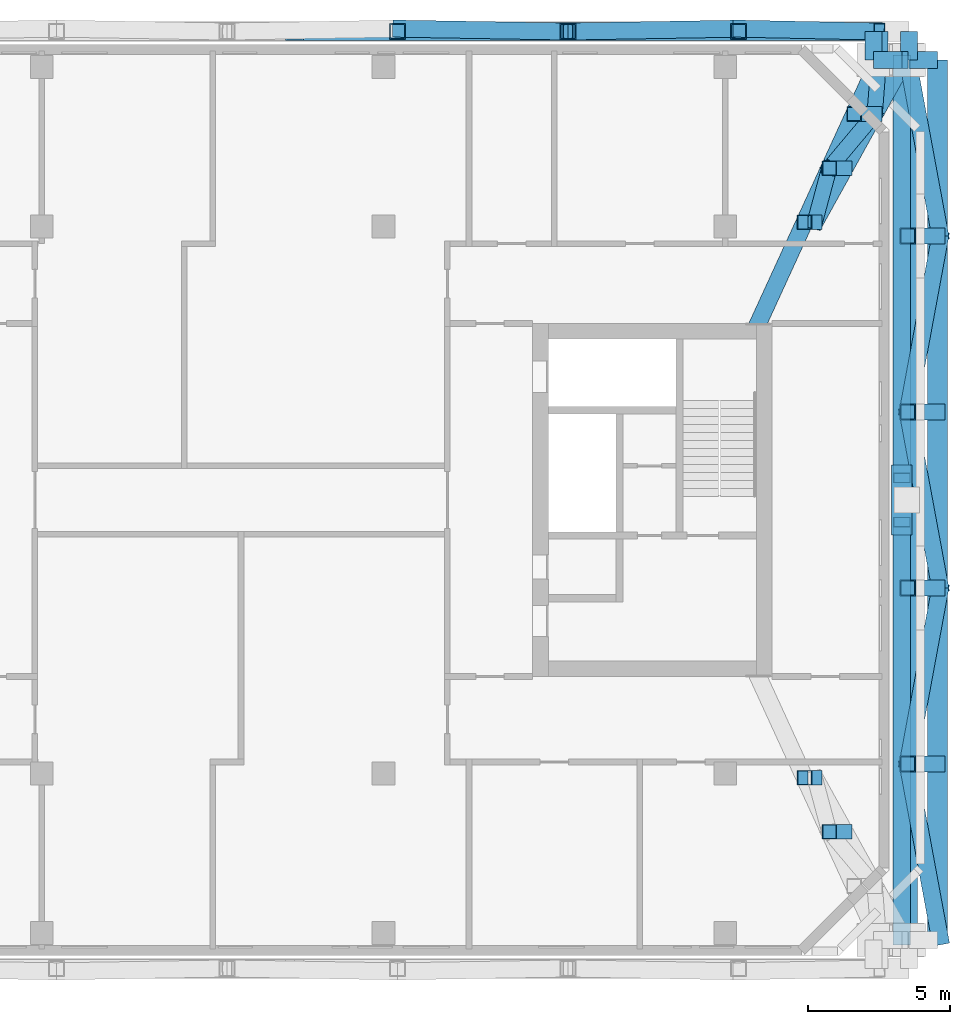
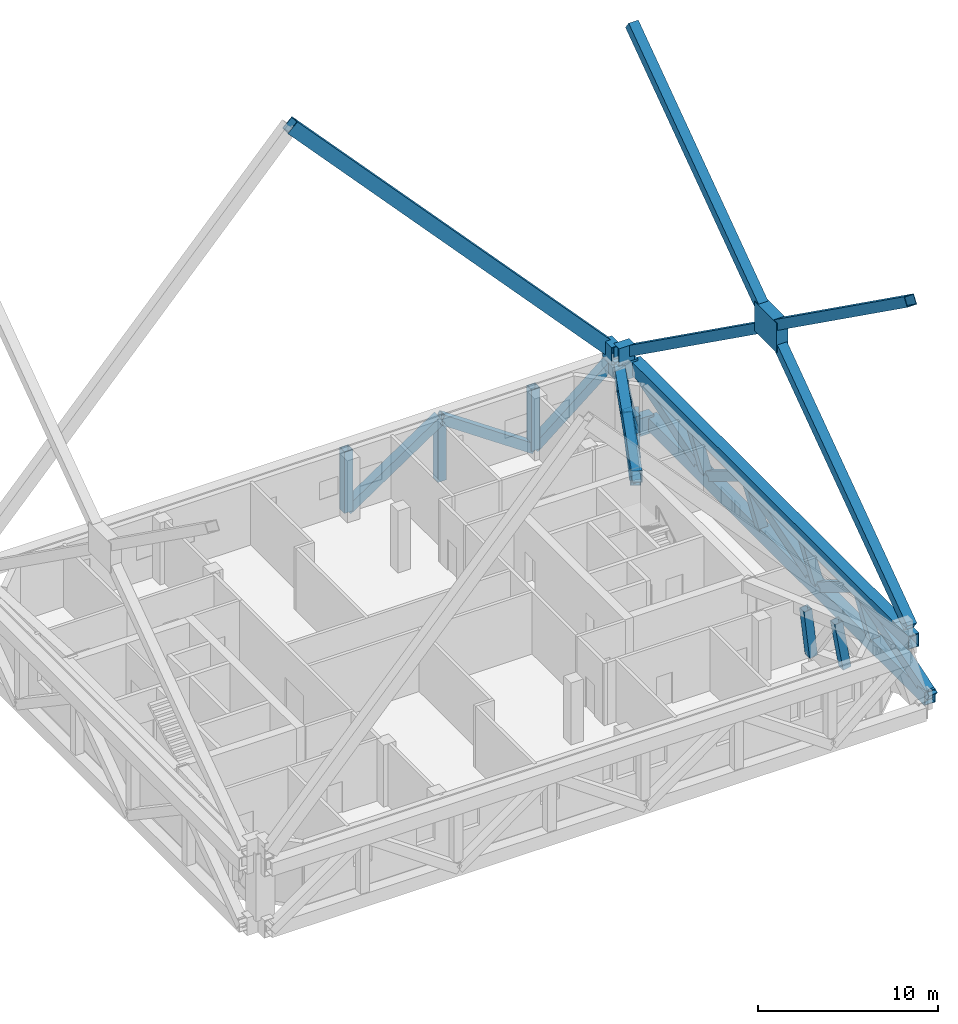
# One storey, part 5 of 22: 29 members, 10 beams.
"""IFC4 building model written with IfcOpenShell, lengths in metres."""

from ifc_helpers import new_model, si_unit, direction, frame, origin, origin_2d, place, context, subcontext, project, spatial, rectangle, hollow_rectangle, extrude, material, material_profile, profile_set, type_object, element, save


model = new_model("IFC4")

# Units and contexts
model_context = context("Model", 3, precision=1e-05, world=origin(), true_north=direction((0.0, 1.0)))
body_context = subcontext(model_context, "Body", "Model", "MODEL_VIEW")
ifc_project = project(units=[si_unit("LENGTHUNIT", "METRE"), si_unit("AREAUNIT", "SQUARE_METRE"), si_unit("VOLUMEUNIT", "CUBIC_METRE"), si_unit("PLANEANGLEUNIT", "RADIAN"), si_unit("MASSUNIT", "GRAM", prefix="KILO")], contexts=[model_context])

# Site, building, storey
site_placement = place(None, origin())
site = spatial("IfcSite", under=ifc_project, at=site_placement, CompositionType="ELEMENT")
building_placement = place(site_placement, origin())
building = spatial("IfcBuilding", under=site, at=building_placement, Name="Tuart Gate Housing", CompositionType="ELEMENT")
storey_placement = place(building_placement, frame((0.0, 0.0, 115.0)))
storey = spatial("IfcBuildingStorey", under=building, at=storey_placement, Name="L32", CompositionType="ELEMENT", Elevation=115.0)

# Beam
ifc_material_1 = material(Name="Steel Grade 350", Category="steel")
ifc_material_profile_1 = material_profile(ifc_material_1, hollow_rectangle(XDim=0.699951171875, YDim=0.89990234375, WallThickness=0.0400390625, at=origin_2d()), Name="BOX 900x700x40")
ifc_profile_set_1 = profile_set([ifc_material_profile_1], Name="Steel Grade 350")
beam_type_1 = type_object("IfcBeamType", Name="Belt truss chord BOX 900x700x40", PredefinedType="BEAM", material=ifc_profile_set_1)
beam_1_placement = place(storey_placement, frame((173.408203125, 54.550048828125, 3.75), z_axis=(0.0, 1.0, 0.0), x_axis=(-1.0, 0.0, 0.0)))
element("IfcBeam", 1, at=beam_1_placement, inside=storey, type_object=beam_type_1, Name="Belt truss top chord B east L32", PredefinedType="BEAM", context=body_context, shape_type="SweptSolid", body=[
    extrude(hollow_rectangle(XDim=0.699951171875, YDim=0.89990234375, WallThickness=0.0400390625, at=origin_2d()), origin(), (0.0, 0.0, 1.0), 30.89990234375),
])

# Members
ifc_material_2 = material(Name="Steel Grade 350", Category="steel")
ifc_material_profile_2 = material_profile(ifc_material_2, hollow_rectangle(XDim=0.60009765625, YDim=0.60009765625, WallThickness=0.031982421875, at=origin_2d()), Name="BOX 600x600x32")
ifc_profile_set_2 = profile_set([ifc_material_profile_2], Name="Steel Grade 350")
member_type_1 = type_object("IfcMemberType", Name="Belt truss diagonal BOX 600x600x32", PredefinedType="BRACE", material=ifc_profile_set_2)
member_1_placement = place(storey_placement, frame((155.492919921875, 86.550048828125, -0.39990234375), z_axis=(0.821727049166, -0.013741815481, 0.569715559886), x_axis=(0.016720752187, 0.999860198451, 0.0)))
element("IfcMember", 2, at=member_1_placement, inside=storey, type_object=member_type_1, Name="Belt truss diagonal B north 4 L32", PredefinedType="BRACE", context=body_context, shape_type="SweptSolid", body=[
    extrude(hollow_rectangle(XDim=0.60009765625, YDim=0.60009765625, WallThickness=0.031982421875, at=origin_2d()), origin(), (0.0, 0.0, 1.0), 7.2841796875),
])
member_2_placement = place(storey_placement, frame((161.478515625, 86.449951171875, 3.75), z_axis=(0.821737933731, 0.013741437019, -0.569699869384), x_axis=(-0.016720070399, 0.999860209852, 0.0)))
element("IfcMember", 3, at=member_2_placement, inside=storey, type_object=member_type_1, Name="Belt truss diagonal B north 5 L32", PredefinedType="BRACE", context=body_context, shape_type="SweptSolid", body=[
    extrude(hollow_rectangle(XDim=0.60009765625, YDim=0.60009765625, WallThickness=0.031982421875, at=origin_2d()), origin(), (0.0, 0.0, 1.0), 7.284423828125),
])
member_3_placement = place(storey_placement, frame((167.46435546875, 86.550048828125, -0.39990234375), z_axis=(0.765836272231, -0.01550582082, 0.642848639772), x_axis=(0.020242764871, 0.999795094242, 0.0)))
element("IfcMember", 4, at=member_3_placement, inside=storey, type_object=member_type_1, Name="Belt truss diagonal B north 6 L32", PredefinedType="BRACE", context=body_context, shape_type="SweptSolid", body=[
    extrude(hollow_rectangle(XDim=0.60009765625, YDim=0.60009765625, WallThickness=0.031982421875, at=origin_2d()), origin(), (0.0, 0.0, 1.0), 6.45556640625),
])
for number, where, z_axis, x_axis, name in (
    (5, (174.550048828125, 54.550048828125, -0.39990234375), (-0.151617936405, 0.820591153351, 0.551037349372), (-0.983355601449, -0.18169138972, 0.0), "Belt truss diagonal B east 0 L32"),
    (6, (173.408203125, 60.72998046875, 3.75), (0.151617936405, 0.820591153351, -0.551037349372), (-0.983355601449, 0.18169138972, 0.0), "Belt truss diagonal B east 1 L32"),
):
    element("IfcMember", number, at=place(storey_placement, frame(where, z_axis=z_axis, x_axis=x_axis)), inside=storey, type_object=member_type_1, Name=name, PredefinedType="BRACE", context=body_context, shape_type="SweptSolid", body=[
        extrude(hollow_rectangle(XDim=0.60009765625, YDim=0.60009765625, WallThickness=0.031982421875, at=origin_2d()), origin(), (0.0, 0.0, 1.0), 7.531005859375),
    ])
member_4_placement = place(storey_placement, frame((174.550048828125, 66.909912109375, -0.39990234375), z_axis=(-0.151613903185, 0.820601741551, 0.551022691115), x_axis=(-0.983356883812, -0.181684449142, 0.0)))
element("IfcMember", 7, at=member_4_placement, inside=storey, type_object=member_type_1, Name="Belt truss diagonal B east 2 L32", PredefinedType="BRACE", context=body_context, shape_type="SweptSolid", body=[
    extrude(hollow_rectangle(XDim=0.60009765625, YDim=0.60009765625, WallThickness=0.031982421875, at=origin_2d()), origin(), (0.0, 0.0, 1.0), 7.53125),
])
for number, where, z_axis, x_axis, name in (
    (8, (173.408203125, 73.090087890625, 3.75), (0.151617936405, 0.820591153351, -0.551037349372), (-0.983355601449, 0.18169138972, 0.0), "Belt truss diagonal B east 3 L32"),
    (9, (174.550048828125, 79.27001953125, -0.39990234375), (-0.151617936405, 0.820591153351, 0.551037349372), (-0.983355601449, -0.18169138972, 0.0), "Belt truss diagonal B east 4 L32"),
):
    element("IfcMember", number, at=place(storey_placement, frame(where, z_axis=z_axis, x_axis=x_axis)), inside=storey, type_object=member_type_1, Name=name, PredefinedType="BRACE", context=body_context, shape_type="SweptSolid", body=[
        extrude(hollow_rectangle(XDim=0.60009765625, YDim=0.60009765625, WallThickness=0.031982421875, at=origin_2d()), origin(), (0.0, 0.0, 1.0), 7.531005859375),
    ])
ifc_material_3 = material(Name="Steel Grade 350", Category="steel")
ifc_material_profile_3 = material_profile(ifc_material_3, hollow_rectangle(XDim=0.56005859375, YDim=0.56005859375, WallThickness=0.030029296875, at=origin_2d()), Name="BOX 560x560x30")
ifc_profile_set_3 = profile_set([ifc_material_profile_3], Name="Steel Grade 350")
member_type_2 = type_object("IfcMemberType", Name="Belt truss post BOX 560x560x30", PredefinedType="POST", material=ifc_profile_set_3)
for number, where, z_axis, x_axis, name in (
    (10, (155.492919921875, 86.449951171875, -0.39990234375), (0.0, 0.0, 1.0), (1.0, 0.0, 0.0), "Belt truss post B north 4 L32"),
    (11, (161.478515625, 86.449951171875, -0.39990234375), (0.0, 0.0, 1.0), (1.0, 0.0, 0.0), "Belt truss post B north 5 L32"),
    (12, (167.46435546875, 86.449951171875, -0.39990234375), (0.0, 0.0, 1.0), (1.0, 0.0, 0.0), "Belt truss post B north 6 L32"),
):
    element("IfcMember", number, at=place(storey_placement, frame(where, z_axis=z_axis, x_axis=x_axis)), inside=storey, type_object=member_type_2, Name=name, PredefinedType="POST", context=body_context, shape_type="SweptSolid", body=[
        extrude(hollow_rectangle(XDim=0.56005859375, YDim=0.56005859375, WallThickness=0.030029296875, at=origin_2d()), origin(), (0.0, 0.0, 1.0), 4.14990234375),
    ])
for number, where, z_axis, x_axis, name in (
    (13, (174.449951171875, 60.72998046875, -0.39990234375), (-0.243475324171, 0.0, 0.969907091695), (0.0, -1.0, 0.0), "Belt truss post B east 1 L32"),
    (14, (174.449951171875, 66.909912109375, -0.39990234375), (-0.243475324171, 0.0, 0.969907091695), (0.0, -1.0, 0.0), "Belt truss post B east 2 L32"),
    (15, (174.449951171875, 73.090087890625, -0.39990234375), (-0.243475324171, 0.0, 0.969907091695), (0.0, -1.0, 0.0), "Belt truss post B east 3 L32"),
    (16, (174.449951171875, 79.27001953125, -0.39990234375), (-0.243475324171, 0.0, 0.969907091695), (0.0, -1.0, 0.0), "Belt truss post B east 4 L32"),
):
    element("IfcMember", number, at=place(storey_placement, frame(where, z_axis=z_axis, x_axis=x_axis)), inside=storey, type_object=member_type_2, Name=name, PredefinedType="POST", context=body_context, shape_type="SweptSolid", body=[
        extrude(hollow_rectangle(XDim=0.56005859375, YDim=0.56005859375, WallThickness=0.030029296875, at=origin_2d()), origin(), (0.0, 0.0, 1.0), 4.278564453125),
    ])
ifc_material_4 = material(Name="Steel Grade 350", Category="steel")
ifc_material_profile_4 = material_profile(ifc_material_4, rectangle(XDim=2.446044921875, YDim=2.0048828125, at=origin_2d()), Name="Brace node plate 2446 x 2005")
ifc_profile_set_4 = profile_set([ifc_material_profile_4], Name="Steel Grade 350")
member_type_3 = type_object("IfcMemberType", Name="Brace node plate 2446 x 2005", PredefinedType="PLATE", material=ifc_profile_set_4)
member_5_placement = place(storey_placement, frame((172.843505859375, 70.0, 15.860107421875), z_axis=(1.0, 0.0, 0.0), x_axis=(0.0, 1.0, 0.0)))
element("IfcMember", 17, at=member_5_placement, inside=storey, type_object=member_type_3, Name="Brace node B zone 5 east", PredefinedType="PLATE", context=body_context, shape_type="SweptSolid", body=[
    extrude(rectangle(XDim=2.446044921875, YDim=2.0048828125, at=origin_2d()), origin(), (0.0, 0.0, 1.0), 0.712890625),
])

# Beams
ifc_material_5 = material(Name="Steel Grade 350", Category="steel")
ifc_material_profile_5 = material_profile(ifc_material_5, hollow_rectangle(XDim=0.60009765625, YDim=1.199951171875, WallThickness=0.0400390625, at=origin_2d()), Name="BOX 1200x600x40")
ifc_profile_set_5 = profile_set([ifc_material_profile_5], Name="Steel Grade 350")
beam_type_2 = type_object("IfcBeamType", Name="Brace shoe BOX 1200x600x40", PredefinedType="BEAM", material=ifc_profile_set_5)
for number, where, z_axis, x_axis, name in (
    (18, (173.449951171875, 85.449951171875, -0.39990234375), (0.0, 1.0, 0.0), (-1.0, 0.0, 0.0), "Mega tie beam B node 4 north shoe 1 L32"),
    (19, (173.449951171875, 85.449951171875, -0.39990234375), (1.0, 0.0, 0.0), (0.0, 1.0, 0.0), "Mega tie beam B node 4 east shoe 1 L32"),
    (20, (172.199951171875, 85.449951171875, 4.820068359375), (0.0, 1.0, 0.0), (-1.0, 0.0, 0.0), "Mega brace shoe B zone 5 north chevron 2"),
    (21, (172.199951171875, 85.449951171875, 4.820068359375), (1.0, 0.0, 0.0), (0.0, 1.0, 0.0), "Mega brace shoe B zone 5 east cross 2"),
    (22, (172.408203125, 85.449951171875, 3.75), (0.0, 1.0, 0.0), (-1.0, 0.0, 0.0), "Belt truss top chord B north shoe 1 L32"),
    (23, (172.408203125, 85.449951171875, 3.75), (1.0, 0.0, 0.0), (0.0, 1.0, 0.0), "Belt truss top chord B east shoe 1 L32"),
):
    element("IfcBeam", number, at=place(storey_placement, frame(where, z_axis=z_axis, x_axis=x_axis)), inside=storey, type_object=beam_type_2, Name=name, PredefinedType="BEAM", context=body_context, shape_type="SweptSolid", body=[
        extrude(hollow_rectangle(XDim=0.60009765625, YDim=1.199951171875, WallThickness=0.0400390625, at=origin_2d()), origin(), (0.0, 0.0, 1.0), 1.0),
    ])

# Members
ifc_material_6 = material(Name="Steel Grade 350", Category="steel")
ifc_material_profile_6 = material_profile(ifc_material_6, hollow_rectangle(XDim=0.6201171875, YDim=0.6201171875, WallThickness=0.031005859375, at=origin_2d()), Name="BOX 620x620x31")
ifc_profile_set_6 = profile_set([ifc_material_profile_6], Name="Steel Grade 350")
member_type_4 = type_object("IfcMemberType", Name="Mega brace BOX 620x620x31", PredefinedType="BRACE", material=ifc_profile_set_6)
for number, where, z_axis, x_axis, name in (
    (24, (173.199951171875, 54.550048828125, 4.820068359375), (0.0, 0.813629209006, 0.581384133128), (-1.0, 0.0, 0.0), "Mega brace B zone 5 east cross 1 a"),
    (25, (173.199951171875, 70.77294921875, 16.412353515625), (0.0, 0.813629209006, 0.581384133128), (-1.0, 0.0, 0.0), "Mega brace B zone 5 east cross 1 b"),
    (26, (173.199951171875, 85.449951171875, 4.820068359375), (0.0, -0.813629209006, 0.581384133128), (1.0, 0.0, 0.0), "Mega brace B zone 5 east cross 2 a"),
    (27, (173.199951171875, 69.22705078125, 16.412353515625), (0.0, -0.813629209006, 0.581384133128), (1.0, 0.0, 0.0), "Mega brace B zone 5 east cross 2 b"),
):
    element("IfcMember", number, at=place(storey_placement, frame(where, z_axis=z_axis, x_axis=x_axis)), inside=storey, type_object=member_type_4, Name=name, PredefinedType="BRACE", context=body_context, shape_type="SweptSolid", body=[
        extrude(hollow_rectangle(XDim=0.6201171875, YDim=0.6201171875, WallThickness=0.031005859375, at=origin_2d()), origin(), (0.0, 0.0, 1.0), 18.038818359375),
    ])
ifc_material_7 = material(Name="Steel Grade 350", Category="steel")
ifc_material_profile_7 = material_profile(ifc_material_7, hollow_rectangle(XDim=0.6201171875, YDim=0.85009765625, WallThickness=0.0419921875, at=origin_2d()), Name="BOX 850x620x42")
ifc_profile_set_7 = profile_set([ifc_material_profile_7], Name="Steel Grade 350")
member_type_5 = type_object("IfcMemberType", Name="Mega brace BOX 850x620x42", PredefinedType="BRACE", material=ifc_profile_set_7)
member_6_placement = place(storey_placement, frame((172.199951171875, 86.449951171875, 4.820068359375), z_axis=(-0.677264113797, 0.0, 0.735739981354), x_axis=(0.0, -1.0, 0.0)))
element("IfcMember", 28, at=member_6_placement, inside=storey, type_object=member_type_5, Name="Mega brace B zone 5 north chevron 2", PredefinedType="BRACE", context=body_context, shape_type="SweptSolid", body=[
    extrude(hollow_rectangle(XDim=0.6201171875, YDim=0.85009765625, WallThickness=0.0419921875, at=origin_2d()), origin(), (0.0, 0.0, 1.0), 30.010498046875),
])

# Beams
ifc_material_8 = material(Name="Steel Grade 350", Category="steel")
ifc_material_profile_8 = material_profile(ifc_material_8, hollow_rectangle(XDim=0.60009765625, YDim=0.800048828125, WallThickness=0.0400390625, at=origin_2d()), Name="BOX 800x600x40")
ifc_profile_set_8 = profile_set([ifc_material_profile_8], Name="Steel Grade 350")
beam_type_3 = type_object("IfcBeamType", Name="Outrigger chord BOX 800x600x40", PredefinedType="BEAM", material=ifc_profile_set_8)
beam_2_placement = place(storey_placement, frame((170.142822265625, 79.75, 0.550048828125), z_axis=(0.484194475827, 0.874960404577, 0.0), x_axis=(-0.874960404577, 0.484194475827, 0.0)))
element("IfcBeam", 29, at=beam_2_placement, inside=storey, type_object=beam_type_3, Name="Outrigger bottom chord BK north 0 L32", PredefinedType="BEAM", context=body_context, shape_type="SweptSolid", body=[
    extrude(hollow_rectangle(XDim=0.60009765625, YDim=0.800048828125, WallThickness=0.0400390625, at=origin_2d()), origin(), (0.0, 0.0, 1.0), 6.514404296875),
])
ifc_material_9 = material(Name="Steel Grade 350", Category="steel")
ifc_material_profile_9 = material_profile(ifc_material_9, hollow_rectangle(XDim=0.60009765625, YDim=0.800048828125, WallThickness=0.0400390625, at=origin_2d()), Name="BOX 800x600x40")
ifc_profile_set_9 = profile_set([ifc_material_profile_9], Name="Steel Grade 350")
beam_type_4 = type_object("IfcBeamType", Name="Outrigger chord BOX 800x600x40 (8.2-10.5 m)", PredefinedType="BEAM", material=ifc_profile_set_9)
beam_3_placement = place(storey_placement, frame((168.0400390625, 75.949951171875, 3.800048828125), z_axis=(0.416661145924, 0.909061873294, 0.0), x_axis=(-0.909061873294, 0.416661145924, 0.0)))
element("IfcBeam", 30, at=beam_3_placement, inside=storey, type_object=beam_type_4, Name="Outrigger top chord BK north L32", PredefinedType="BEAM", context=body_context, shape_type="SweptSolid", body=[
    extrude(hollow_rectangle(XDim=0.60009765625, YDim=0.800048828125, WallThickness=0.0400390625, at=origin_2d()), origin(), (0.0, 0.0, 1.0), 10.450439453125),
])

# Members
ifc_material_10 = material(Name="Steel Grade 350", Category="steel")
ifc_material_profile_10 = material_profile(ifc_material_10, hollow_rectangle(XDim=0.5400390625, YDim=0.5400390625, WallThickness=0.030029296875, at=origin_2d()), Name="BOX 540x540x30")
ifc_profile_set_10 = profile_set([ifc_material_profile_10], Name="Steel Grade 350")
member_type_6 = type_object("IfcMemberType", Name="Outrigger diagonal BOX 540x540x30", PredefinedType="BRACE", material=ifc_profile_set_10)
member_7_placement = place(storey_placement, frame((170.142822265625, 79.75, 0.550048828125), z_axis=(0.134186071394, 0.500113030453, 0.855500470494), x_axis=(-0.96583829137, 0.259145509172, 0.0)))
element("IfcMember", 31, at=member_7_placement, inside=storey, type_object=member_type_6, Name="Outrigger diagonal BK north 2 L32", PredefinedType="BRACE", context=body_context, shape_type="SweptSolid", body=[
    extrude(hollow_rectangle(XDim=0.5400390625, YDim=0.5400390625, WallThickness=0.030029296875, at=origin_2d()), origin(), (0.0, 0.0, 1.0), 3.798828125),
])
member_8_placement = place(storey_placement, frame((170.652587890625, 81.64990234375, 3.800048828125), z_axis=(0.389743508797, 0.464813626872, -0.795014647427), x_axis=(-0.766272850822, 0.642515305726, 0.0)))
element("IfcMember", 32, at=member_8_placement, inside=storey, type_object=member_type_6, Name="Outrigger diagonal BK north 3 L32", PredefinedType="BRACE", context=body_context, shape_type="SweptSolid", body=[
    extrude(hollow_rectangle(XDim=0.5400390625, YDim=0.5400390625, WallThickness=0.030029296875, at=origin_2d()), origin(), (0.0, 0.0, 1.0), 4.087890625),
])
member_9_placement = place(storey_placement, frame((172.245849609375, 83.550048828125, 0.550048828125), z_axis=(0.039399321533, 0.504285395018, 0.862637776726), x_axis=(-0.996961830467, 0.077891646482, 0.0)))
element("IfcMember", 33, at=member_9_placement, inside=storey, type_object=member_type_6, Name="Outrigger diagonal BK north 4 L32", PredefinedType="BRACE", context=body_context, shape_type="SweptSolid", body=[
    extrude(hollow_rectangle(XDim=0.5400390625, YDim=0.5400390625, WallThickness=0.030029296875, at=origin_2d()), origin(), (0.0, 0.0, 1.0), 3.767578125),
])
ifc_material_11 = material(Name="Steel Grade 350", Category="steel")
ifc_material_profile_11 = material_profile(ifc_material_11, hollow_rectangle(XDim=0.52001953125, YDim=0.52001953125, WallThickness=0.028076171875, at=origin_2d()), Name="BOX 520x520x28")
ifc_profile_set_11 = profile_set([ifc_material_profile_11], Name="Steel Grade 350")
member_type_7 = type_object("IfcMemberType", Name="Outrigger post BOX 520x520x28", PredefinedType="POST", material=ifc_profile_set_11)
member_10_placement = place(storey_placement, frame((170.142822265625, 60.25, 0.550048828125), z_axis=(-0.110423331592, 0.0, 0.993884645137), x_axis=(0.0, -1.0, 0.0)))
element("IfcMember", 34, at=member_10_placement, inside=storey, type_object=member_type_7, Name="Outrigger post BK south 2 L32", PredefinedType="POST", context=body_context, shape_type="SweptSolid", body=[
    extrude(hollow_rectangle(XDim=0.52001953125, YDim=0.52001953125, WallThickness=0.028076171875, at=origin_2d()), origin(), (0.0, 0.0, 1.0), 3.27001953125),
])
member_11_placement = place(storey_placement, frame((171.1943359375, 58.35009765625, 0.550048828125), z_axis=(-0.164423018976, 0.0, 0.986389918253), x_axis=(0.0, -1.0, 0.0)))
element("IfcMember", 35, at=member_11_placement, inside=storey, type_object=member_type_7, Name="Outrigger post BK south 3 L32", PredefinedType="POST", context=body_context, shape_type="SweptSolid", body=[
    extrude(hollow_rectangle(XDim=0.52001953125, YDim=0.52001953125, WallThickness=0.028076171875, at=origin_2d()), origin(), (0.0, 0.0, 1.0), 3.294921875),
])
member_12_placement = place(storey_placement, frame((170.142822265625, 79.75, 0.550048828125), z_axis=(-0.110423331592, 0.0, 0.993884645137), x_axis=(0.0, -1.0, 0.0)))
element("IfcMember", 36, at=member_12_placement, inside=storey, type_object=member_type_7, Name="Outrigger post BK north 2 L32", PredefinedType="POST", context=body_context, shape_type="SweptSolid", body=[
    extrude(hollow_rectangle(XDim=0.52001953125, YDim=0.52001953125, WallThickness=0.028076171875, at=origin_2d()), origin(), (0.0, 0.0, 1.0), 3.27001953125),
])
member_13_placement = place(storey_placement, frame((171.1943359375, 81.64990234375, 0.550048828125), z_axis=(-0.164423018976, 0.0, 0.986389918253), x_axis=(0.0, -1.0, 0.0)))
element("IfcMember", 37, at=member_13_placement, inside=storey, type_object=member_type_7, Name="Outrigger post BK north 3 L32", PredefinedType="POST", context=body_context, shape_type="SweptSolid", body=[
    extrude(hollow_rectangle(XDim=0.52001953125, YDim=0.52001953125, WallThickness=0.028076171875, at=origin_2d()), origin(), (0.0, 0.0, 1.0), 3.294921875),
])
member_14_placement = place(storey_placement, frame((172.245849609375, 83.550048828125, 0.550048828125), z_axis=(-0.216984808288, 0.0, 0.976174980714), x_axis=(0.0, -1.0, 0.0)))
element("IfcMember", 38, at=member_14_placement, inside=storey, type_object=member_type_7, Name="Outrigger post BK north 4 L32", PredefinedType="POST", context=body_context, shape_type="SweptSolid", body=[
    extrude(hollow_rectangle(XDim=0.52001953125, YDim=0.52001953125, WallThickness=0.028076171875, at=origin_2d()), origin(), (0.0, 0.0, 1.0), 3.329345703125),
])

# Beam
ifc_material_12 = material(Name="Steel Grade 350", Category="steel")
ifc_material_profile_12 = material_profile(ifc_material_12, hollow_rectangle(XDim=0.699951171875, YDim=0.89990234375, WallThickness=0.0400390625, at=origin_2d()), Name="BOX 900x700x40")
ifc_profile_set_12 = profile_set([ifc_material_profile_12], Name="Steel Grade 350")
beam_type_5 = type_object("IfcBeamType", Name="Tie beam BOX 900x700x40", PredefinedType="BEAM", material=ifc_profile_set_12)
beam_4_placement = place(storey_placement, frame((174.449951171875, 54.550048828125, -0.39990234375), z_axis=(0.0, 1.0, 0.0), x_axis=(-1.0, 0.0, 0.0)))
element("IfcBeam", 39, at=beam_4_placement, inside=storey, type_object=beam_type_5, Name="Mega tie beam B node 4 east L32", PredefinedType="BEAM", context=body_context, shape_type="SweptSolid", body=[
    extrude(hollow_rectangle(XDim=0.699951171875, YDim=0.89990234375, WallThickness=0.0400390625, at=origin_2d()), origin(), (0.0, 0.0, 1.0), 30.89990234375),
])

save(model, "model.ifc")
